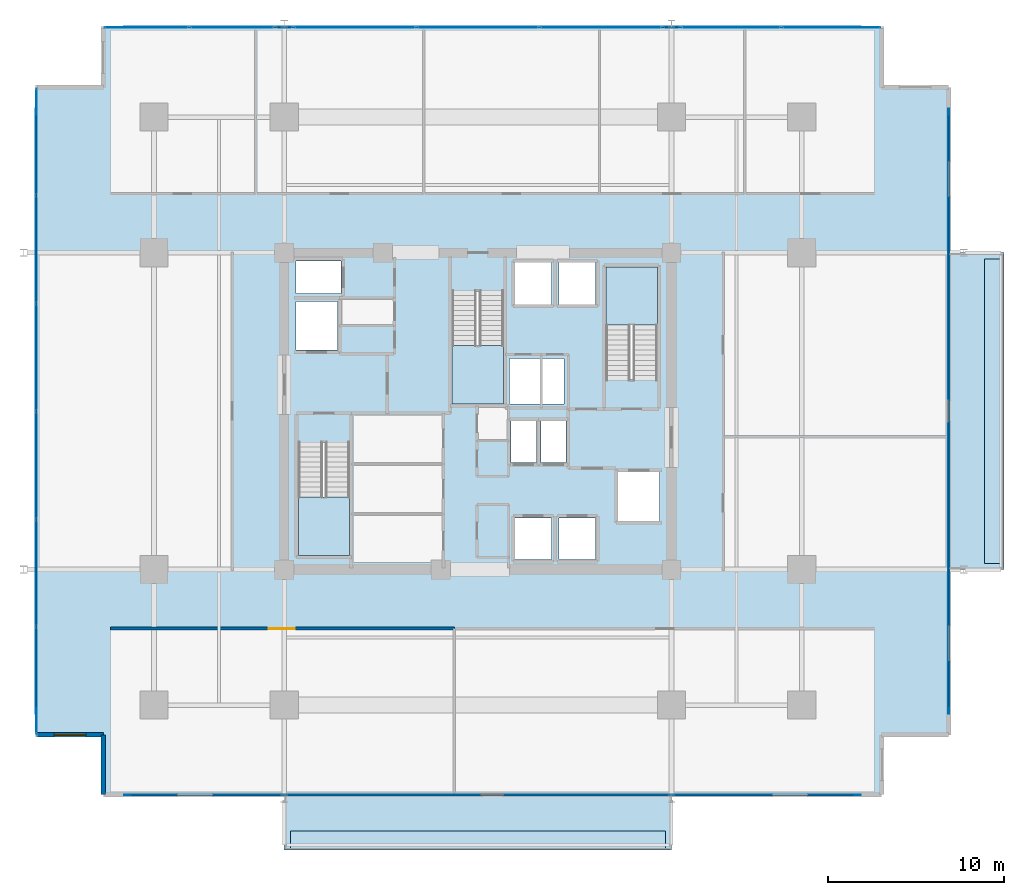
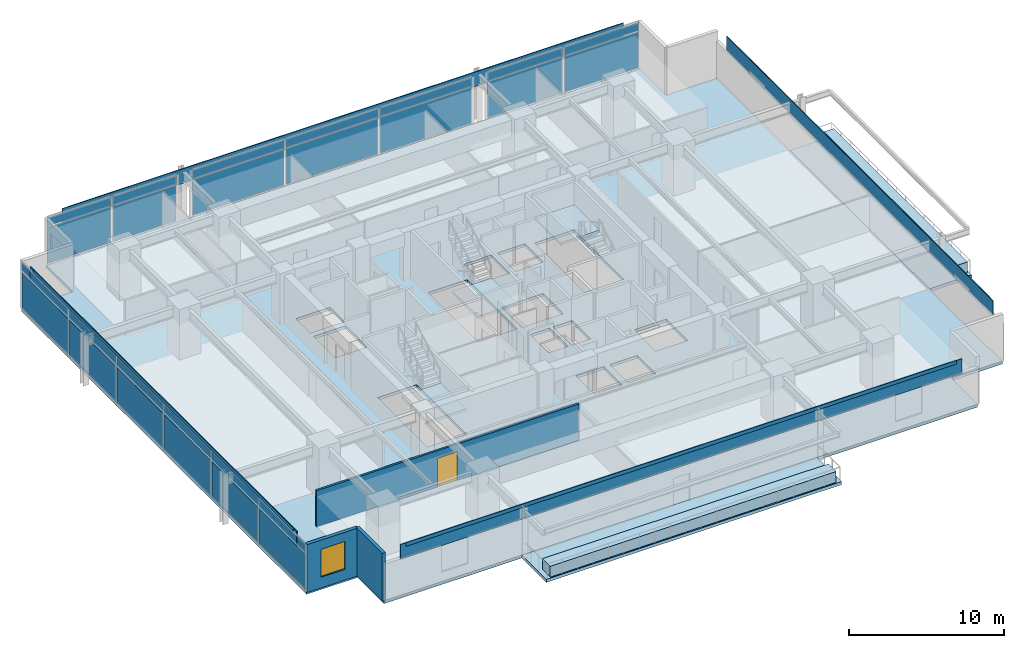
# One storey, part 12 of 21: 34 plates, 8 slabs, 3 walls, 1 door, 1 window, 2 openings, 7 elements without a shape of their own.
"""IFC4 building model written with IfcOpenShell, lengths in metres."""

from ifc_helpers import new_model, si_unit, direction, frame, frame_2d, origin, origin_2d, place, context, subcontext, project, spatial, polyline, rectangle, outline, extrude, material, layer, layer_set, type_object, element, fill, aggregate, save


model = new_model("IFC4")

# Units and contexts
model_context = context("Model", 3, precision=1e-05, world=origin(), true_north=direction((0.0, 1.0)))
body_context = subcontext(model_context, "Body", "Model", "MODEL_VIEW")
ifc_project = project(units=[si_unit("LENGTHUNIT", "METRE"), si_unit("AREAUNIT", "SQUARE_METRE"), si_unit("VOLUMEUNIT", "CUBIC_METRE"), si_unit("PLANEANGLEUNIT", "RADIAN"), si_unit("MASSUNIT", "GRAM", prefix="KILO")], contexts=[model_context])

# Site, building, storey
site_placement = place(None, origin())
site = spatial("IfcSite", under=ifc_project, at=site_placement, CompositionType="ELEMENT")
building_placement = place(site_placement, origin())
building = spatial("IfcBuilding", under=site, at=building_placement, Name="Kovane Verandah Tower", CompositionType="ELEMENT")
storey_placement = place(building_placement, frame((0.0, 0.0, 172.39990234375)))
storey = spatial("IfcBuildingStorey", under=building, at=storey_placement, Name="L40", CompositionType="ELEMENT", Elevation=172.39990234375)

# Curtain wall, plates
ifc_material_1 = material(Name="Champagne Anodised Aluminium Frame with Low-E Clear Laminated Glass", Category="aluminium")
curtain_wall_type = type_object("IfcCurtainWallType", Name="CW-SYS-03-MID", PredefinedType="NOTDEFINED", material=ifc_material_1)
curtain_wall_1_placement = place(storey_placement, origin())
curtain_wall_1 = element("IfcCurtainWall", 1, at=curtain_wall_1_placement, inside=storey, type_object=curtain_wall_type, Name="L40 N Unitised Curtain Wall-1", PredefinedType="NOTDEFINED")
ifc_material_2 = material(Name="Pale Champagne Anodised Aluminium Insulated Spandrel", Category="aluminium")
ifc_layer_1 = layer(ifc_material_2, 0.0400390625)
ifc_layer_set_1 = layer_set([ifc_layer_1], Name="Pale Champagne Anodised Aluminium Insulated Spandrel")
plate_type_1 = type_object("IfcPlateType", Name="PL-CW-SPD-40", PredefinedType="SHEET", material=ifc_layer_set_1)
plate_1_placement = place(storey_placement, frame((60.083984375, 49.289306640625, 3.044921875), z_axis=(0.0, 0.0, 1.0), x_axis=(-1.0, 0.0, 0.0)))
plate_1 = element("IfcPlate", 2, at=plate_1_placement, type_object=plate_type_1, Name="L40 N Unitised Curtain Wall-1 Spandrel Panel 1", PredefinedType="SHEET", context=body_context, shape_type="SweptSolid", body=[
    extrude(rectangle(XDim=5.5693359375, YDim=0.0400390625, at=origin_2d()), origin(), (0.0, 0.0, 1.0), 0.639892578125),
])
plate_2_placement = place(storey_placement, frame((54.374755859375, 49.289306640625, 3.044921875), z_axis=(0.0, 0.0, 1.0), x_axis=(-1.0, 0.0, 0.0)))
plate_2 = element("IfcPlate", 3, at=plate_2_placement, type_object=plate_type_1, Name="L40 N Unitised Curtain Wall-1 Spandrel Panel 2", PredefinedType="SHEET", context=body_context, shape_type="SweptSolid", body=[
    extrude(rectangle(XDim=5.5693359375, YDim=0.0400390625, at=origin_2d()), origin(), (0.0, 0.0, 1.0), 0.639892578125),
])

curtain_wall_2_placement = place(storey_placement, origin())
curtain_wall_2 = element("IfcCurtainWall", 4, at=curtain_wall_2_placement, inside=storey, type_object=curtain_wall_type, Name="L40 N Unitised Curtain Wall-2", PredefinedType="NOTDEFINED")
plate_3_placement = place(storey_placement, frame((46.98681640625, 49.289306640625, 3.044921875), z_axis=(0.0, 0.0, 1.0), x_axis=(-1.0, 0.0, 0.0)))
plate_3 = element("IfcPlate", 5, at=plate_3_placement, type_object=plate_type_1, Name="L40 N Unitised Curtain Wall-2 Spandrel Panel 1", PredefinedType="SHEET", context=body_context, shape_type="SweptSolid", body=[
    extrude(rectangle(XDim=6.8466796875, YDim=0.0400390625, at=origin_2d()), origin(), (0.0, 0.0, 1.0), 0.639892578125),
])
plate_4_placement = place(storey_placement, frame((40.0, 49.289306640625, 3.044921875), z_axis=(0.0, 0.0, 1.0), x_axis=(-1.0, 0.0, 0.0)))
plate_4 = element("IfcPlate", 6, at=plate_4_placement, type_object=plate_type_1, Name="L40 N Unitised Curtain Wall-2 Spandrel Panel 2", PredefinedType="SHEET", context=body_context, shape_type="SweptSolid", body=[
    extrude(rectangle(XDim=6.8466796875, YDim=0.0400390625, at=origin_2d()), origin(), (0.0, 0.0, 1.0), 0.639892578125),
])
plate_5_placement = place(storey_placement, frame((33.01318359375, 49.289306640625, 3.044921875), z_axis=(0.0, 0.0, 1.0), x_axis=(-1.0, 0.0, 0.0)))
plate_5 = element("IfcPlate", 7, at=plate_5_placement, type_object=plate_type_1, Name="L40 N Unitised Curtain Wall-2 Spandrel Panel 3", PredefinedType="SHEET", context=body_context, shape_type="SweptSolid", body=[
    extrude(rectangle(XDim=6.8466796875, YDim=0.0400390625, at=origin_2d()), origin(), (0.0, 0.0, 1.0), 0.639892578125),
])

curtain_wall_3_placement = place(storey_placement, origin())
curtain_wall_3 = element("IfcCurtainWall", 8, at=curtain_wall_3_placement, inside=storey, type_object=curtain_wall_type, Name="L40 N Unitised Curtain Wall-3", PredefinedType="NOTDEFINED")
plate_6_placement = place(storey_placement, frame((26.04248046875, 49.289306640625, 3.044921875), z_axis=(0.0, 0.0, 1.0), x_axis=(-1.0, 0.0, 0.0)))
plate_6 = element("IfcPlate", 9, at=plate_6_placement, type_object=plate_type_1, Name="L40 N Unitised Curtain Wall-3 Spandrel Panel 1", PredefinedType="SHEET", context=body_context, shape_type="SweptSolid", body=[
    extrude(rectangle(XDim=4.735107421875, YDim=0.0400390625, at=origin_2d()), origin(), (0.0, 0.0, 1.0), 0.639892578125),
])
plate_7_placement = place(storey_placement, frame((21.167236328125, 49.289306640625, 3.044921875), z_axis=(0.0, 0.0, 1.0), x_axis=(-1.0, 0.0, 0.0)))
plate_7 = element("IfcPlate", 10, at=plate_7_placement, type_object=plate_type_1, Name="L40 N Unitised Curtain Wall-3 Spandrel Panel 2", PredefinedType="SHEET", context=body_context, shape_type="SweptSolid", body=[
    extrude(rectangle(XDim=4.735107421875, YDim=0.0400390625, at=origin_2d()), origin(), (0.0, 0.0, 1.0), 0.639892578125),
])

curtain_wall_4_placement = place(storey_placement, origin())
curtain_wall_4 = element("IfcCurtainWall", 11, at=curtain_wall_4_placement, inside=storey, type_object=curtain_wall_type, Name="L40 W Unitised Curtain Wall", PredefinedType="NOTDEFINED")
plate_8_placement = place(storey_placement, frame((14.9296875, 42.824462890625, 3.044921875), z_axis=(0.0, 0.0, 1.0), x_axis=(0.0, -1.0, 0.0)))
plate_8 = element("IfcPlate", 12, at=plate_8_placement, type_object=plate_type_1, Name="L40 W Unitised Curtain Wall Spandrel Panel 1", PredefinedType="SHEET", context=body_context, shape_type="SweptSolid", body=[
    extrude(rectangle(XDim=5.98974609375, YDim=0.0400390625, at=origin_2d()), origin(), (0.0, 0.0, 1.0), 0.639892578125),
])
plate_9_placement = place(storey_placement, frame((14.9296875, 36.694580078125, 3.044921875), z_axis=(0.0, 0.0, 1.0), x_axis=(0.0, -1.0, 0.0)))
plate_9 = element("IfcPlate", 13, at=plate_9_placement, type_object=plate_type_1, Name="L40 W Unitised Curtain Wall Spandrel Panel 2", PredefinedType="SHEET", context=body_context, shape_type="SweptSolid", body=[
    extrude(rectangle(XDim=5.98974609375, YDim=0.0400390625, at=origin_2d()), origin(), (0.0, 0.0, 1.0), 0.639892578125),
])
plate_10_placement = place(storey_placement, frame((14.9296875, 30.56494140625, 3.044921875), z_axis=(0.0, 0.0, 1.0), x_axis=(0.0, -1.0, 0.0)))
plate_10 = element("IfcPlate", 14, at=plate_10_placement, type_object=plate_type_1, Name="L40 W Unitised Curtain Wall Spandrel Panel 3", PredefinedType="SHEET", context=body_context, shape_type="SweptSolid", body=[
    extrude(rectangle(XDim=5.98974609375, YDim=0.0400390625, at=origin_2d()), origin(), (0.0, 0.0, 1.0), 0.639892578125),
])
plate_11_placement = place(storey_placement, frame((14.9296875, 24.43505859375, 3.044921875), z_axis=(0.0, 0.0, 1.0), x_axis=(0.0, -1.0, 0.0)))
plate_11 = element("IfcPlate", 15, at=plate_11_placement, type_object=plate_type_1, Name="L40 W Unitised Curtain Wall Spandrel Panel 4", PredefinedType="SHEET", context=body_context, shape_type="SweptSolid", body=[
    extrude(rectangle(XDim=5.98974609375, YDim=0.0400390625, at=origin_2d()), origin(), (0.0, 0.0, 1.0), 0.639892578125),
])
plate_12_placement = place(storey_placement, frame((14.9296875, 18.305419921875, 3.044921875), z_axis=(0.0, 0.0, 1.0), x_axis=(0.0, -1.0, 0.0)))
plate_12 = element("IfcPlate", 16, at=plate_12_placement, type_object=plate_type_1, Name="L40 W Unitised Curtain Wall Spandrel Panel 5", PredefinedType="SHEET", context=body_context, shape_type="SweptSolid", body=[
    extrude(rectangle(XDim=5.98974609375, YDim=0.0400390625, at=origin_2d()), origin(), (0.0, 0.0, 1.0), 0.639892578125),
])
plate_13_placement = place(storey_placement, frame((14.9296875, 12.175537109375, 3.044921875), z_axis=(0.0, 0.0, 1.0), x_axis=(0.0, -1.0, 0.0)))
plate_13 = element("IfcPlate", 17, at=plate_13_placement, type_object=plate_type_1, Name="L40 W Unitised Curtain Wall Spandrel Panel 6", PredefinedType="SHEET", context=body_context, shape_type="SweptSolid", body=[
    extrude(rectangle(XDim=5.98974609375, YDim=0.0400390625, at=origin_2d()), origin(), (0.0, 0.0, 1.0), 0.639892578125),
])

# Plate
ifc_material_3 = material(Name="Clear Low-E Laminated Double Glazing", Category="glass")
ifc_layer_2 = layer(ifc_material_3, 0.031982421875)
ifc_layer_set_2 = layer_set([ifc_layer_2], Name="Clear Low-E Laminated Double Glazing")
plate_type_2 = type_object("IfcPlateType", Name="PL-CW-VIS-32", PredefinedType="CURTAIN_PANEL", material=ifc_layer_set_2)
plate_14_placement = place(storey_placement, frame((60.083984375, 49.289306640625, 0.10009765625), z_axis=(0.0, 0.0, 1.0), x_axis=(-1.0, 0.0, 0.0)))
plate_14 = element("IfcPlate", 18, at=plate_14_placement, type_object=plate_type_2, Name="L40 N Unitised Curtain Wall-1 Vision Panel 1", PredefinedType="CURTAIN_PANEL", context=body_context, shape_type="SweptSolid", body=[
    extrude(rectangle(XDim=5.5693359375, YDim=0.031982421875, at=origin_2d()), origin(), (0.0, 0.0, 1.0), 2.844970703125),
])

plate_15_placement = place(storey_placement, frame((54.374755859375, 49.289306640625, 0.10009765625), z_axis=(0.0, 0.0, 1.0), x_axis=(-1.0, 0.0, 0.0)))
plate_15 = element("IfcPlate", 19, at=plate_15_placement, type_object=plate_type_2, Name="L40 N Unitised Curtain Wall-1 Vision Panel 2", PredefinedType="CURTAIN_PANEL", context=body_context, shape_type="SweptSolid", body=[
    extrude(rectangle(XDim=5.5693359375, YDim=0.031982421875, at=origin_2d()), origin(), (0.0, 0.0, 1.0), 2.844970703125),
])

aggregate(curtain_wall_1, [plate_14, plate_1, plate_15, plate_2])

plate_16_placement = place(storey_placement, frame((46.98681640625, 49.289306640625, 0.10009765625), z_axis=(0.0, 0.0, 1.0), x_axis=(-1.0, 0.0, 0.0)))
plate_16 = element("IfcPlate", 20, at=plate_16_placement, type_object=plate_type_2, Name="L40 N Unitised Curtain Wall-2 Vision Panel 1", PredefinedType="CURTAIN_PANEL", context=body_context, shape_type="SweptSolid", body=[
    extrude(rectangle(XDim=6.8466796875, YDim=0.031982421875, at=origin_2d()), origin(), (0.0, 0.0, 1.0), 2.844970703125),
])

plate_17_placement = place(storey_placement, frame((40.0, 49.289306640625, 0.10009765625), z_axis=(0.0, 0.0, 1.0), x_axis=(-1.0, 0.0, 0.0)))
plate_17 = element("IfcPlate", 21, at=plate_17_placement, type_object=plate_type_2, Name="L40 N Unitised Curtain Wall-2 Vision Panel 2", PredefinedType="CURTAIN_PANEL", context=body_context, shape_type="SweptSolid", body=[
    extrude(rectangle(XDim=6.8466796875, YDim=0.031982421875, at=origin_2d()), origin(), (0.0, 0.0, 1.0), 2.844970703125),
])

plate_18_placement = place(storey_placement, frame((33.01318359375, 49.289306640625, 0.10009765625), z_axis=(0.0, 0.0, 1.0), x_axis=(-1.0, 0.0, 0.0)))
plate_18 = element("IfcPlate", 22, at=plate_18_placement, type_object=plate_type_2, Name="L40 N Unitised Curtain Wall-2 Vision Panel 3", PredefinedType="CURTAIN_PANEL", context=body_context, shape_type="SweptSolid", body=[
    extrude(rectangle(XDim=6.8466796875, YDim=0.031982421875, at=origin_2d()), origin(), (0.0, 0.0, 1.0), 2.844970703125),
])

aggregate(curtain_wall_2, [plate_16, plate_3, plate_17, plate_4, plate_18, plate_5])

plate_19_placement = place(storey_placement, frame((26.04248046875, 49.289306640625, 0.10009765625), z_axis=(0.0, 0.0, 1.0), x_axis=(-1.0, 0.0, 0.0)))
plate_19 = element("IfcPlate", 23, at=plate_19_placement, type_object=plate_type_2, Name="L40 N Unitised Curtain Wall-3 Vision Panel 1", PredefinedType="CURTAIN_PANEL", context=body_context, shape_type="SweptSolid", body=[
    extrude(rectangle(XDim=4.735107421875, YDim=0.031982421875, at=origin_2d()), origin(), (0.0, 0.0, 1.0), 2.844970703125),
])

plate_20_placement = place(storey_placement, frame((21.167236328125, 49.289306640625, 0.10009765625), z_axis=(0.0, 0.0, 1.0), x_axis=(-1.0, 0.0, 0.0)))
plate_20 = element("IfcPlate", 24, at=plate_20_placement, type_object=plate_type_2, Name="L40 N Unitised Curtain Wall-3 Vision Panel 2", PredefinedType="CURTAIN_PANEL", context=body_context, shape_type="SweptSolid", body=[
    extrude(rectangle(XDim=4.735107421875, YDim=0.031982421875, at=origin_2d()), origin(), (0.0, 0.0, 1.0), 2.844970703125),
])

aggregate(curtain_wall_3, [plate_19, plate_6, plate_20, plate_7])

plate_21_placement = place(storey_placement, frame((14.9296875, 42.824462890625, 0.10009765625), z_axis=(0.0, 0.0, 1.0), x_axis=(0.0, -1.0, 0.0)))
plate_21 = element("IfcPlate", 25, at=plate_21_placement, type_object=plate_type_2, Name="L40 W Unitised Curtain Wall Vision Panel 1", PredefinedType="CURTAIN_PANEL", context=body_context, shape_type="SweptSolid", body=[
    extrude(rectangle(XDim=5.98974609375, YDim=0.031982421875, at=origin_2d()), origin(), (0.0, 0.0, 1.0), 2.844970703125),
])

plate_22_placement = place(storey_placement, frame((14.9296875, 36.694580078125, 0.10009765625), z_axis=(0.0, 0.0, 1.0), x_axis=(0.0, -1.0, 0.0)))
plate_22 = element("IfcPlate", 26, at=plate_22_placement, type_object=plate_type_2, Name="L40 W Unitised Curtain Wall Vision Panel 2", PredefinedType="CURTAIN_PANEL", context=body_context, shape_type="SweptSolid", body=[
    extrude(rectangle(XDim=5.98974609375, YDim=0.031982421875, at=origin_2d()), origin(), (0.0, 0.0, 1.0), 2.844970703125),
])

plate_23_placement = place(storey_placement, frame((14.9296875, 30.56494140625, 0.10009765625), z_axis=(0.0, 0.0, 1.0), x_axis=(0.0, -1.0, 0.0)))
plate_23 = element("IfcPlate", 27, at=plate_23_placement, type_object=plate_type_2, Name="L40 W Unitised Curtain Wall Vision Panel 3", PredefinedType="CURTAIN_PANEL", context=body_context, shape_type="SweptSolid", body=[
    extrude(rectangle(XDim=5.98974609375, YDim=0.031982421875, at=origin_2d()), origin(), (0.0, 0.0, 1.0), 2.844970703125),
])

plate_24_placement = place(storey_placement, frame((14.9296875, 24.43505859375, 0.10009765625), z_axis=(0.0, 0.0, 1.0), x_axis=(0.0, -1.0, 0.0)))
plate_24 = element("IfcPlate", 28, at=plate_24_placement, type_object=plate_type_2, Name="L40 W Unitised Curtain Wall Vision Panel 4", PredefinedType="CURTAIN_PANEL", context=body_context, shape_type="SweptSolid", body=[
    extrude(rectangle(XDim=5.98974609375, YDim=0.031982421875, at=origin_2d()), origin(), (0.0, 0.0, 1.0), 2.844970703125),
])

plate_25_placement = place(storey_placement, frame((14.9296875, 18.305419921875, 0.10009765625), z_axis=(0.0, 0.0, 1.0), x_axis=(0.0, -1.0, 0.0)))
plate_25 = element("IfcPlate", 29, at=plate_25_placement, type_object=plate_type_2, Name="L40 W Unitised Curtain Wall Vision Panel 5", PredefinedType="CURTAIN_PANEL", context=body_context, shape_type="SweptSolid", body=[
    extrude(rectangle(XDim=5.98974609375, YDim=0.031982421875, at=origin_2d()), origin(), (0.0, 0.0, 1.0), 2.844970703125),
])

plate_26_placement = place(storey_placement, frame((14.9296875, 12.175537109375, 0.10009765625), z_axis=(0.0, 0.0, 1.0), x_axis=(0.0, -1.0, 0.0)))
plate_26 = element("IfcPlate", 30, at=plate_26_placement, type_object=plate_type_2, Name="L40 W Unitised Curtain Wall Vision Panel 6", PredefinedType="CURTAIN_PANEL", context=body_context, shape_type="SweptSolid", body=[
    extrude(rectangle(XDim=5.98974609375, YDim=0.031982421875, at=origin_2d()), origin(), (0.0, 0.0, 1.0), 2.844970703125),
])

aggregate(curtain_wall_4, [plate_21, plate_8, plate_22, plate_9, plate_23, plate_10, plate_24, plate_11, plate_25, plate_12, plate_26, plate_13])

# Plates
ifc_material_4 = material(Name="Perforated Pale Champagne Anodised Aluminium Solar Screen", Category="aluminium")
ifc_layer_3 = layer(ifc_material_4, 0.050048828125)
ifc_layer_set_3 = layer_set([ifc_layer_3], Name="Perforated Pale Champagne Anodised Aluminium Solar Screen")
plate_type_3 = type_object("IfcPlateType", Name="PL-SCREEN-50", PredefinedType="USERDEFINED", material=ifc_layer_set_3)
plate_27_placement = place(storey_placement, frame((40.834228515625, 5.69580078125, 2.875244140625), z_axis=(0.0, 0.0, 1.0), x_axis=(1.0, 0.0, 0.0)))
element("IfcPlate", 31, at=plate_27_placement, inside=storey, type_object=plate_type_3, Name="L40 S Perforated Champagne-Gold Solar Screen", ObjectType="SCREEN", PredefinedType="USERDEFINED", context=body_context, shape_type="SweptSolid", body=[
    extrude(rectangle(XDim=41.80908203125, YDim=0.050048828125, at=origin_2d()), origin(), (0.0, 0.0, 1.0), 1.14990234375),
])
plate_28_placement = place(storey_placement, frame((66.753662109375, 27.5, 2.875244140625), z_axis=(0.0, 0.0, 1.0), x_axis=(0.0, 1.0, 0.0)))
element("IfcPlate", 32, at=plate_28_placement, inside=storey, type_object=plate_type_3, Name="L40 E Perforated Champagne-Gold Solar Screen", ObjectType="SCREEN", PredefinedType="USERDEFINED", context=body_context, shape_type="SweptSolid", body=[
    extrude(rectangle(XDim=34.37890625, YDim=0.050048828125, at=origin_2d()), origin(), (0.0, 0.0, 1.0), 1.14990234375),
])
plate_29_placement = place(storey_placement, frame((40.834228515625, 49.30419921875, 2.875244140625), z_axis=(0.0, 0.0, 1.0), x_axis=(-1.0, 0.0, 0.0)))
element("IfcPlate", 33, at=plate_29_placement, inside=storey, type_object=plate_type_3, Name="L40 N Perforated Champagne-Gold Solar Screen", ObjectType="SCREEN", PredefinedType="USERDEFINED", context=body_context, shape_type="SweptSolid", body=[
    extrude(rectangle(XDim=41.80908203125, YDim=0.050048828125, at=origin_2d()), origin(), (0.0, 0.0, 1.0), 1.14990234375),
])
plate_30_placement = place(storey_placement, frame((14.91455078125, 27.5, 2.875244140625), z_axis=(0.0, 0.0, 1.0), x_axis=(0.0, -1.0, 0.0)))
element("IfcPlate", 34, at=plate_30_placement, inside=storey, type_object=plate_type_3, Name="L40 W Perforated Champagne-Gold Solar Screen", ObjectType="SCREEN", PredefinedType="USERDEFINED", context=body_context, shape_type="SweptSolid", body=[
    extrude(rectangle(XDim=34.37890625, YDim=0.050048828125, at=origin_2d()), origin(), (0.0, 0.0, 1.0), 1.14990234375),
])
ifc_material_5 = material(Name="Extruded Pale-Bronze Aluminium Aerofoil Sunshade", Category="aluminium")
ifc_layer_4 = layer(ifc_material_5, 0.06005859375)
ifc_layer_set_4 = layer_set([ifc_layer_4], Name="Extruded Pale-Bronze Aluminium Aerofoil Sunshade")
plate_type_4 = type_object("IfcPlateType", Name="PL-SUNSHADE-60", PredefinedType="USERDEFINED", material=ifc_layer_set_4)
plate_31_placement = place(storey_placement, frame((40.834228515625, 5.690673828125, 3.7548828125), z_axis=(0.0, 0.0, 1.0), x_axis=(1.0, 0.0, 0.0)))
element("IfcPlate", 35, at=plate_31_placement, inside=storey, type_object=plate_type_4, Name="L40 S Subtropical Aerofoil Sunshade", ObjectType="SUNSHADE", PredefinedType="USERDEFINED", context=body_context, shape_type="SweptSolid", body=[
    extrude(rectangle(XDim=41.009033203125, YDim=0.06005859375, at=origin_2d()), origin(), (0.0, 0.0, 1.0), 0.280029296875),
])
plate_32_placement = place(storey_placement, frame((66.7587890625, 27.5, 3.7548828125), z_axis=(0.0, 0.0, 1.0), x_axis=(0.0, 1.0, 0.0)))
element("IfcPlate", 36, at=plate_32_placement, inside=storey, type_object=plate_type_4, Name="L40 E Subtropical Aerofoil Sunshade", ObjectType="SUNSHADE", PredefinedType="USERDEFINED", context=body_context, shape_type="SweptSolid", body=[
    extrude(rectangle(XDim=33.5791015625, YDim=0.06005859375, at=origin_2d()), origin(), (0.0, 0.0, 1.0), 0.280029296875),
])
plate_33_placement = place(storey_placement, frame((40.834228515625, 49.309326171875, 3.7548828125), z_axis=(0.0, 0.0, 1.0), x_axis=(-1.0, 0.0, 0.0)))
element("IfcPlate", 37, at=plate_33_placement, inside=storey, type_object=plate_type_4, Name="L40 N Subtropical Aerofoil Sunshade", ObjectType="SUNSHADE", PredefinedType="USERDEFINED", context=body_context, shape_type="SweptSolid", body=[
    extrude(rectangle(XDim=41.009033203125, YDim=0.06005859375, at=origin_2d()), origin(), (0.0, 0.0, 1.0), 0.280029296875),
])
plate_34_placement = place(storey_placement, frame((14.90966796875, 27.5, 3.7548828125), z_axis=(0.0, 0.0, 1.0), x_axis=(0.0, -1.0, 0.0)))
element("IfcPlate", 38, at=plate_34_placement, inside=storey, type_object=plate_type_4, Name="L40 W Subtropical Aerofoil Sunshade", ObjectType="SUNSHADE", PredefinedType="USERDEFINED", context=body_context, shape_type="SweptSolid", body=[
    extrude(rectangle(XDim=33.5791015625, YDim=0.06005859375, at=origin_2d()), origin(), (0.0, 0.0, 1.0), 0.280029296875),
])

# Slabs
ifc_material_6 = material(Name="Concrete C45/55", Category="concrete")
ifc_layer_5 = layer(ifc_material_6, 0.239990234375)
ifc_layer_set_5 = layer_set([ifc_layer_5], Name="Concrete C45/55")
slab_type_1 = type_object("IfcSlabType", Name="SL-BALC-240", PredefinedType="FLOOR", material=ifc_layer_set_5)
slab_1_placement = place(storey_placement, frame((0.0, 0.0, -0.239990234375)))
element("IfcSlab", 39, at=slab_1_placement, inside=storey, type_object=slab_type_1, Name="L40 S Planted Verandah Balcony Slab", PredefinedType="FLOOR", context=body_context, shape_type="SweptSolid", body=[
    extrude(outline(polyline([(29.0, 2.560791015625), (51.0, 2.560791015625), (51.0, 5.710693359375), (29.0, 5.710693359375), (29.0, 2.560791015625)])), origin(), (0.0, 0.0, 1.0), 0.239990234375),
])
slab_2_placement = place(storey_placement, frame((0.0, 0.0, -0.239990234375)))
element("IfcSlab", 40, at=slab_2_placement, inside=storey, type_object=slab_type_1, Name="L40 E Planted Verandah Balcony Slab", PredefinedType="FLOOR", context=body_context, shape_type="SweptSolid", body=[
    extrude(outline(polyline([(66.73876953125, 18.5), (69.888671875, 18.5), (69.888671875, 36.5), (66.73876953125, 36.5), (66.73876953125, 18.5)])), origin(), (0.0, 0.0, 1.0), 0.239990234375),
])

# Stair, slab
stair_type = type_object("IfcStairType", Name="ST-CORE-1380", PredefinedType="HALF_TURN_STAIR", material=ifc_material_6)
stair_1_placement = place(storey_placement, origin())
stair_1 = element("IfcStair", 41, at=stair_1_placement, inside=storey, type_object=stair_type, Name="L40 Exit Stair ST-01", PredefinedType="HALF_TURN_STAIR")
ifc_layer_6 = layer(ifc_material_6, 0.199951171875)
ifc_layer_set_6 = layer_set([ifc_layer_6], Name="Concrete C45/55")
slab_type_2 = type_object("IfcSlabType", Name="SL-LAND-200", PredefinedType="LANDING", material=ifc_layer_set_6)
slab_3_placement = place(storey_placement, frame((0.0, 0.0, 1.800048828125)))
slab_3 = element("IfcSlab", 42, at=slab_3_placement, type_object=slab_type_2, Name="ST-01 landing 1", PredefinedType="LANDING", context=body_context, shape_type="SweptSolid", body=[
    extrude(outline(polyline([(29.800048828125, 22.614990234375), (29.800048828125, 19.300048828125), (32.719970703125, 19.300048828125), (32.719970703125, 22.614990234375), (29.800048828125, 22.614990234375)])), origin(), (0.0, 0.0, 1.0), 0.199951171875),
])
aggregate(stair_1, [slab_3])

stair_2_placement = place(storey_placement, origin())
stair_2 = element("IfcStair", 43, at=stair_2_placement, inside=storey, type_object=stair_type, Name="L40 Exit Stair ST-02", PredefinedType="HALF_TURN_STAIR")
slab_4_placement = place(storey_placement, frame((0.0, 0.0, 1.800048828125)))
slab_4 = element("IfcSlab", 44, at=slab_4_placement, type_object=slab_type_2, Name="ST-02 landing 1", PredefinedType="LANDING", context=body_context, shape_type="SweptSolid", body=[
    extrude(outline(polyline([(50.199951171875, 32.385009765625), (50.199951171875, 35.699951171875), (47.280029296875, 35.699951171875), (47.280029296875, 32.385009765625), (50.199951171875, 32.385009765625)])), origin(), (0.0, 0.0, 1.0), 0.199951171875),
])
aggregate(stair_2, [slab_4])

stair_3_placement = place(storey_placement, origin())
stair_3 = element("IfcStair", 45, at=stair_3_placement, inside=storey, type_object=stair_type, Name="L40 Exit Stair ST-03", PredefinedType="HALF_TURN_STAIR")
slab_5_placement = place(storey_placement, frame((0.0, 0.0, 1.800048828125)))
slab_5 = element("IfcSlab", 46, at=slab_5_placement, type_object=slab_type_2, Name="ST-03 landing 1", PredefinedType="LANDING", context=body_context, shape_type="SweptSolid", body=[
    extrude(outline(polyline([(38.5400390625, 31.215087890625), (38.5400390625, 27.89990234375), (41.4599609375, 27.89990234375), (41.4599609375, 31.215087890625), (38.5400390625, 31.215087890625)])), origin(), (0.0, 0.0, 1.0), 0.199951171875),
])
aggregate(stair_3, [slab_5])

# Slabs
ifc_layer_7 = layer(ifc_material_6, 0.22509765625)
ifc_layer_set_7 = layer_set([ifc_layer_7], Name="Concrete C45/55")
slab_type_3 = type_object("IfcSlabType", Name="SL-MID-225", PredefinedType="FLOOR", material=ifc_layer_set_7)
slab_6_placement = place(storey_placement, frame((0.0, 0.0, -0.224853515625)))
element("IfcSlab", 47, at=slab_6_placement, inside=storey, type_object=slab_type_3, Name="L40 Structural Floor Slab", PredefinedType="FLOOR", context=body_context, shape_type="SweptSolid", body=[
    extrude(outline(polyline([(18.7294921875, 5.710693359375), (62.938720703125, 5.710693359375), (62.938720703125, 9.110595703125), (66.73876953125, 9.110595703125), (66.73876953125, 45.889404296875), (62.938720703125, 45.889404296875), (62.938720703125, 49.289306640625), (18.7294921875, 49.289306640625), (18.7294921875, 45.889404296875), (14.9296875, 45.889404296875), (14.9296875, 9.110595703125), (18.7294921875, 9.110595703125), (18.7294921875, 5.710693359375)]), holes=[polyline([(29.800048828125, 19.300048828125), (32.719970703125, 19.300048828125), (32.719970703125, 25.705078125), (29.800048828125, 25.705078125), (29.800048828125, 19.300048828125)]), polyline([(47.280029296875, 29.294921875), (50.199951171875, 29.294921875), (50.199951171875, 35.699951171875), (47.280029296875, 35.699951171875), (47.280029296875, 29.294921875)]), polyline([(38.5400390625, 27.89990234375), (41.4599609375, 27.89990234375), (41.4599609375, 34.304931640625), (38.5400390625, 34.304931640625), (38.5400390625, 27.89990234375)]), polyline([(29.669921875, 30.969970703125), (32.030029296875, 30.969970703125), (32.030029296875, 33.72998046875), (29.669921875, 33.72998046875), (29.669921875, 30.969970703125)]), polyline([(47.969970703125, 21.27001953125), (50.330078125, 21.27001953125), (50.330078125, 24.030029296875), (47.969970703125, 24.030029296875), (47.969970703125, 21.27001953125)]), polyline([(29.669921875, 34.169921875), (32.22998046875, 34.169921875), (32.22998046875, 36.030029296875), (29.669921875, 36.030029296875), (29.669921875, 34.169921875)]), polyline([(42.1201171875, 19.070068359375), (44.179931640625, 19.070068359375), (44.179931640625, 21.429931640625), (42.1201171875, 21.429931640625), (42.1201171875, 19.070068359375)]), polyline([(44.6201171875, 19.070068359375), (46.679931640625, 19.070068359375), (46.679931640625, 21.429931640625), (44.6201171875, 21.429931640625), (44.6201171875, 19.070068359375)]), polyline([(41.8798828125, 24.570068359375), (43.320068359375, 24.570068359375), (43.320068359375, 26.929931640625), (41.8798828125, 26.929931640625), (41.8798828125, 24.570068359375)]), polyline([(43.580078125, 24.570068359375), (45.0, 24.570068359375), (45.0, 26.929931640625), (43.580078125, 26.929931640625), (43.580078125, 24.570068359375)]), polyline([(42.1201171875, 33.570068359375), (44.179931640625, 33.570068359375), (44.179931640625, 35.929931640625), (42.1201171875, 35.929931640625), (42.1201171875, 33.570068359375)]), polyline([(44.6201171875, 33.570068359375), (46.679931640625, 33.570068359375), (46.679931640625, 35.929931640625), (44.6201171875, 35.929931640625), (44.6201171875, 33.570068359375)]), polyline([(41.800048828125, 27.89990234375), (44.89990234375, 27.89990234375), (44.89990234375, 30.5), (41.800048828125, 30.5), (41.800048828125, 27.89990234375)])]), origin(), (0.0, 0.0, 1.0), 0.224853515625),
])
ifc_material_7 = material(Name="Architectural Precast Concrete C45/55 Planter Trough", Category="concrete")
ifc_layer_8 = layer(ifc_material_7, 0.219970703125)
ifc_layer_set_8 = layer_set([ifc_layer_8], Name="Architectural Precast Concrete C45/55 Planter Trough")
slab_type_4 = type_object("IfcSlabType", Name="SL-PLANTER-220", PredefinedType="USERDEFINED", material=ifc_layer_set_8)
slab_7_placement = place(storey_placement, origin())
element("IfcSlab", 48, at=slab_7_placement, inside=storey, type_object=slab_type_4, Name="L40 S Structural Tree Planter", ObjectType="PLANTER", PredefinedType="USERDEFINED", context=body_context, shape_type="SweptSolid", body=[
    extrude(outline(polyline([(29.35009765625, 2.66064453125), (50.64990234375, 2.66064453125), (50.64990234375, 3.66064453125), (29.35009765625, 3.66064453125), (29.35009765625, 2.66064453125)])), origin(), (0.0, 0.0, 1.0), 0.85009765625),
])
slab_8_placement = place(storey_placement, origin())
element("IfcSlab", 49, at=slab_8_placement, inside=storey, type_object=slab_type_4, Name="L40 E Structural Tree Planter", ObjectType="PLANTER", PredefinedType="USERDEFINED", context=body_context, shape_type="SweptSolid", body=[
    extrude(outline(polyline([(68.788818359375, 18.85009765625), (69.788818359375, 18.85009765625), (69.788818359375, 36.14990234375), (68.788818359375, 36.14990234375), (68.788818359375, 18.85009765625)])), origin(), (0.0, 0.0, 1.0), 0.85009765625),
])

# Wall, opening, door
ifc_material_8 = material(Name="Fire-Rated Gypsum Stud Partition", Category="gypsum")
ifc_layer_9 = layer(ifc_material_8, 0.14990234375)
ifc_layer_set_9 = layer_set([ifc_layer_9], Name="Fire-Rated Gypsum Stud Partition")
wall_type_1 = type_object("IfcWallType", Name="WL-COR-150", PredefinedType="PARTITIONING", material=ifc_layer_set_9)
wall_1_placement = place(storey_placement, frame((19.129638671875, 15.14990234375, 0.0), z_axis=(0.0, 0.0, 1.0), x_axis=(1.0, 0.0, 0.0)))
wall_1 = element("IfcWall", 50, at=wall_1_placement, inside=storey, type_object=wall_type_1, Name="L40 Client Boardroom S1 Corridor Partition", PredefinedType="PARTITIONING", context=body_context, shape_type="SweptSolid", body=[
    extrude(rectangle(XDim=19.5341796875, YDim=0.14990234375, at=frame_2d((9.76708984375, 0.0))), origin(), (0.0, 0.0, 1.0), 2.85009765625),
])
opening_1_placement = place(wall_1_placement, frame((8.98193359375, 0.0, 0.0)))
opening_1 = element("IfcOpeningElement", 51, at=opening_1_placement, cuts=wall_1, Name="Opening DR-L40-025", PredefinedType="OPENING", context=body_context, shape_type="SweptSolid", body=[
    extrude(rectangle(XDim=1.5, YDim=2.25, at=frame_2d((0.75, 1.125))), frame((0.0, 0.074951171875, 0.0), z_axis=(0.0, -1.0, 0.0), x_axis=(1.0, 0.0, 0.0)), (0.0, 0.0, 1.0), 0.14990234375),
])
ifc_material_9 = material(Name="Glazed Timber Fire-Rated Double Door", Category="wood")
door_type = type_object("IfcDoorType", Name="DR-CONF-1500", OperationType="DOUBLE_DOOR_SINGLE_SWING", PredefinedType="DOOR", material=ifc_material_9)
door_placement = place(opening_1_placement, origin())
door = element("IfcDoor", 52, at=door_placement, inside=storey, type_object=door_type, Name="L40 Client Boardroom S1 Entrance Door", OperationType="DOUBLE_DOOR_SINGLE_SWING", OverallHeight=2.25, OverallWidth=1.5, PredefinedType="DOOR", context=body_context, shape_type="SweptSolid", body=[
    extrude(rectangle(XDim=1.5, YDim=2.25, at=frame_2d((0.75, 1.125))), frame((0.0, 0.02490234375, 0.0), z_axis=(0.0, -1.0, 0.0), x_axis=(1.0, 0.0, 0.0)), (0.0, 0.0, 1.0), 0.050048828125),
])
fill(opening_1, door)

# Wall, opening, window
ifc_material_10 = material(Name="Concrete C45/55 Insulated Spandrel Wall", Category="concrete")
ifc_layer_10 = layer(ifc_material_10, 0.260009765625)
ifc_layer_set_10 = layer_set([ifc_layer_10], Name="Concrete C45/55 Insulated Spandrel Wall")
wall_type_2 = type_object("IfcWallType", Name="WL-SPANDREL-260", PredefinedType="PARAPET", material=ifc_layer_set_10)
wall_2_placement = place(storey_placement, frame((14.9296875, 9.110595703125, 0.0), z_axis=(0.0, 0.0, 1.0), x_axis=(1.0, 0.0, 0.0)))
wall_2 = element("IfcWall", 53, at=wall_2_placement, inside=storey, type_object=wall_type_2, Name="L40 SW Notch Cheek Wall 1", PredefinedType="PARAPET", context=body_context, shape_type="SweptSolid", body=[
    extrude(rectangle(XDim=3.7998046875, YDim=0.260009765625, at=frame_2d((1.89990234375, 0.0))), origin(), (0.0, 0.0, 1.0), 3.775146484375),
])
opening_2_placement = place(wall_2_placement, frame((1.0, 0.0, 0.85009765625)))
opening_2 = element("IfcOpeningElement", 54, at=opening_2_placement, cuts=wall_2, Name="Opening W-03", PredefinedType="OPENING", context=body_context, shape_type="SweptSolid", body=[
    extrude(rectangle(XDim=1.800048828125, YDim=2.199951171875, at=frame_2d((0.89990234375, 1.10009765625))), frame((0.0, 0.1298828125, 0.0), z_axis=(0.0, -1.0, 0.0), x_axis=(1.0, 0.0, 0.0)), (0.0, 0.0, 1.0), 0.260009765625),
])
ifc_material_11 = material(Name="Clear Low-E Laminated Double Glazing in Anodised Frame", Category="glass")
window_type = type_object("IfcWindowType", Name="WN-NOTCH-1800x2200", PartitioningType="SINGLE_PANEL", PredefinedType="WINDOW", material=ifc_material_11)
window_placement = place(opening_2_placement, origin())
window = element("IfcWindow", 55, at=window_placement, inside=storey, type_object=window_type, Name="L40 SW Re-Entrant Corner Operable Window", OverallHeight=2.199951171875, OverallWidth=1.800048828125, PartitioningType="SINGLE_PANEL", PredefinedType="WINDOW", context=body_context, shape_type="SweptSolid", body=[
    extrude(rectangle(XDim=1.800048828125, YDim=2.199951171875, at=frame_2d((0.89990234375, 1.10009765625))), frame((0.0, 0.030029296875, 0.0), z_axis=(0.0, -1.0, 0.0), x_axis=(1.0, 0.0, 0.0)), (0.0, 0.0, 1.0), 0.06005859375),
])
fill(opening_2, window)

# Wall
wall_3_placement = place(storey_placement, frame((18.7294921875, 9.110595703125, 0.0), z_axis=(0.0, 0.0, 1.0), x_axis=(0.0, -1.0, 0.0)))
element("IfcWall", 56, at=wall_3_placement, inside=storey, type_object=wall_type_2, Name="L40 SW Notch Cheek Wall 2", PredefinedType="PARAPET", context=body_context, shape_type="SweptSolid", body=[
    extrude(rectangle(XDim=3.39990234375, YDim=0.260009765625, at=frame_2d((1.699951171875, 0.0))), origin(), (0.0, 0.0, 1.0), 3.775146484375),
])

save(model, "model.ifc")
